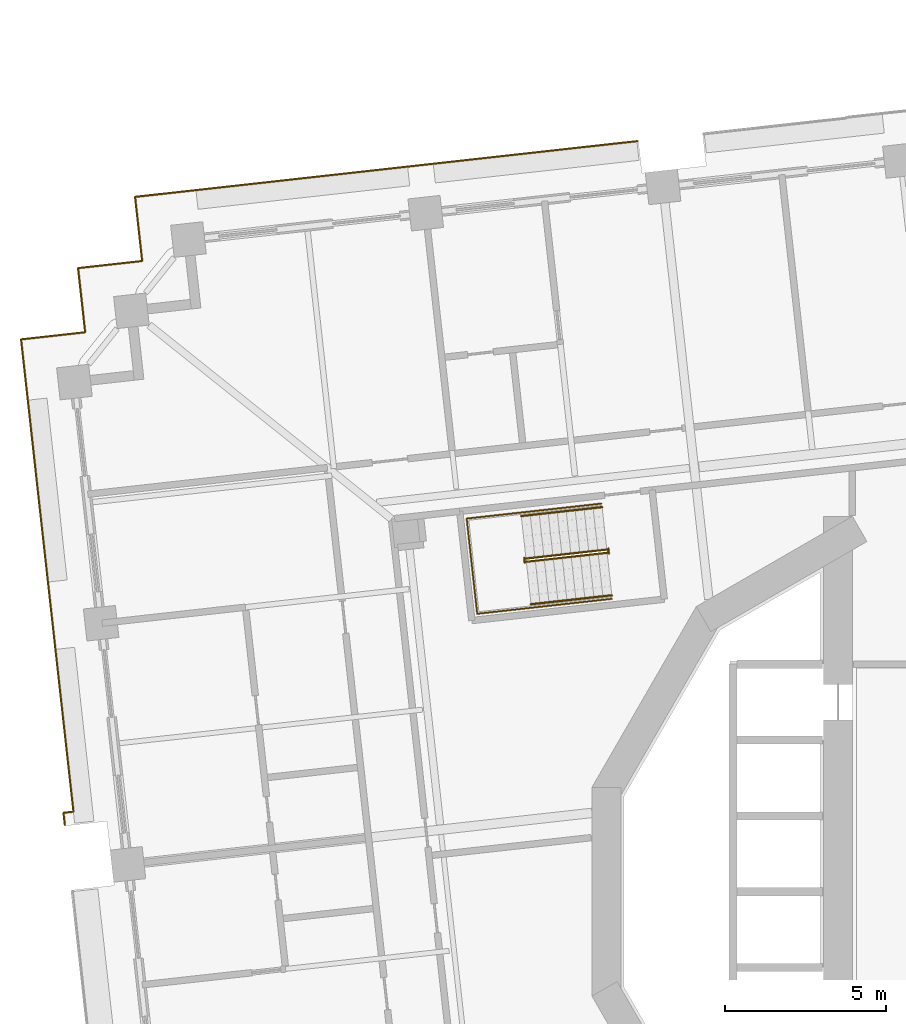
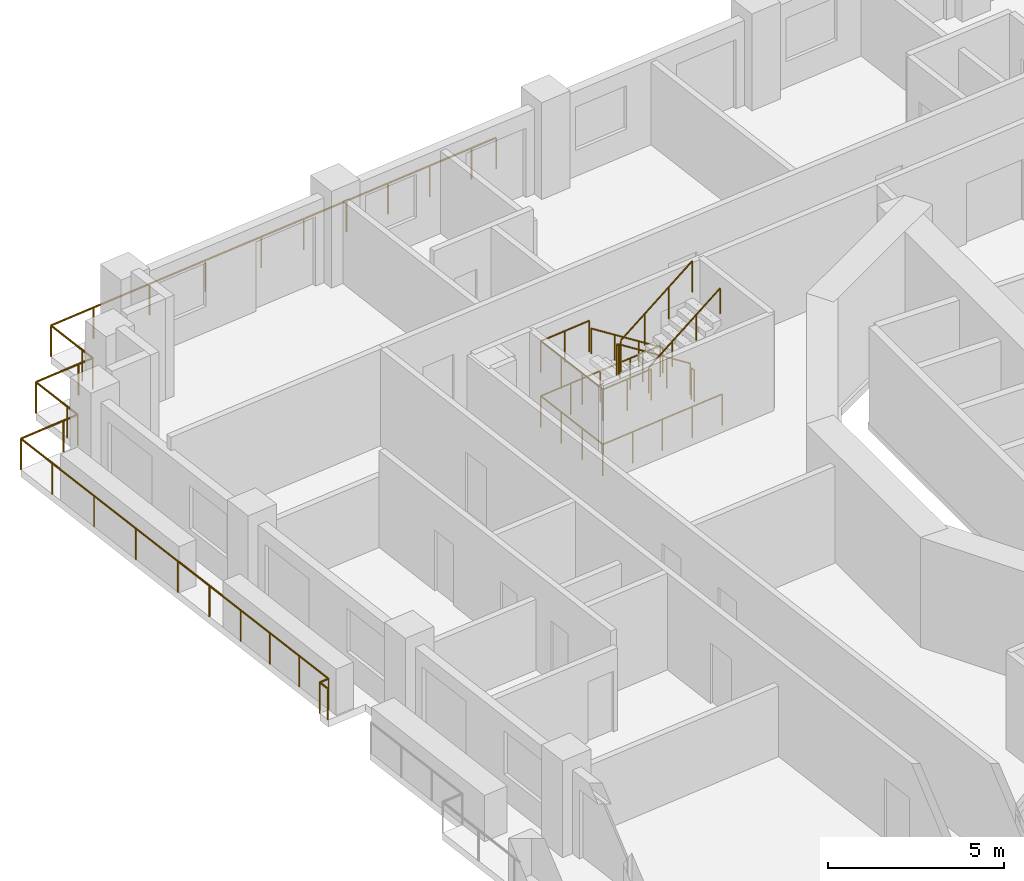
# One storey, part 18 of 21: 9 railings.
"""IFC4 building model written with IfcOpenShell, lengths in metres."""

from ifc_helpers import new_model, si_unit, direction, frame, origin, origin_2d, place, context, subcontext, project, spatial, circle, extrude, material, type_object, element, save


model = new_model("IFC4")

# Units and contexts
model_context = context("Model", 3, precision=1e-05, world=origin(), true_north=direction((0.0, 1.0)))
body_context = subcontext(model_context, "Body", "Model", "MODEL_VIEW")
ifc_project = project(units=[si_unit("LENGTHUNIT", "METRE"), si_unit("AREAUNIT", "SQUARE_METRE"), si_unit("VOLUMEUNIT", "CUBIC_METRE"), si_unit("PLANEANGLEUNIT", "RADIAN"), si_unit("MASSUNIT", "GRAM", prefix="KILO")], contexts=[model_context])

# Site, building, storey
site_placement = place(None, origin())
site = spatial("IfcSite", under=ifc_project, at=site_placement, CompositionType="ELEMENT")
building_placement = place(site_placement, origin())
building = spatial("IfcBuilding", under=site, at=building_placement, Name="Cantera Rosa Tower", CompositionType="ELEMENT")
storey_placement = place(building_placement, frame((0.0, 0.0, 80.5)))
storey = spatial("IfcBuildingStorey", under=building, at=storey_placement, Name="L17", CompositionType="ELEMENT", Elevation=80.5)

# Railings
ifc_material_1 = material(Name="Stainless steel and laminated glass", Category="steel")
railing_type_1 = type_object("IfcRailingType", Name="GUARD 1100", PredefinedType="BALUSTRADE", material=ifc_material_1)
railing_1_placement = place(storey_placement, frame((-26.015380859375, 19.549560546875, 0.0)))
element("IfcRailing", 1, at=railing_1_placement, inside=storey, type_object=railing_type_1, Name="GUARD L17-4", PredefinedType="BALUSTRADE", context=body_context, shape_type="SweptSolid", body=[
    extrude(circle(Radius=0.030029296875, at=origin_2d()), frame((0.0, 0.0, 1.070068359375), z_axis=(-0.110377921269, 0.9938896893, 0.0), x_axis=(-0.9938896893, -0.110377921269, 0.0)), (0.0, 0.0, 1.0), 0.5),
    extrude(circle(Radius=0.030029296875, at=origin_2d()), frame((-0.05517578125, 0.496826171875, 1.070068359375), z_axis=(-0.110181444005, 0.99391148972, 0.0), x_axis=(-0.99391148972, -0.110181444005, 0.0)), (0.0, 0.0, 1.0), 1.5),
    extrude(circle(Radius=0.030029296875, at=origin_2d()), frame((-0.220458984375, 1.98779296875, 1.070068359375), z_axis=(0.993909513469, 0.110199269672, 0.0), x_axis=(-0.110199269672, 0.993909513469, 0.0)), (0.0, 0.0, 1.0), 1.499755859375),
    extrude(circle(Radius=0.030029296875, at=origin_2d()), frame((1.270263671875, 2.153076171875, 1.070068359375), z_axis=(0.993896343916, 0.1103179838, 0.0), x_axis=(-0.1103179838, 0.993896343916, 0.0)), (0.0, 0.0, 1.0), 5.900146484375),
    extrude(circle(Radius=0.030029296875, at=origin_2d()), frame((7.13427734375, 2.803955078125, 1.070068359375), z_axis=(0.993892663362, 0.110351138256, 0.0), x_axis=(-0.110351138256, 0.993892663362, 0.0)), (0.0, 0.0, 1.0), 3.0),
    extrude(circle(Radius=0.030029296875, at=origin_2d()), frame((10.115966796875, 3.135009765625, 1.070068359375), z_axis=(0.993897260817, 0.110309722784, 0.0), x_axis=(-0.110309722784, 0.993897260817, 0.0)), (0.0, 0.0, 1.0), 4.39990234375),
    extrude(circle(Radius=0.030029296875, at=origin_2d()), frame((14.489013671875, 3.620361328125, 1.070068359375), z_axis=(0.993900832769, 0.110277534522, 0.0), x_axis=(-0.110277534522, 0.993900832769, 0.0)), (0.0, 0.0, 1.0), 0.8701171875),
    extrude(circle(Radius=0.02490234375, at=origin_2d()), origin(), (0.0, 0.0, 1.0), 1.0400390625),
    extrude(circle(Radius=0.02490234375, at=origin_2d()), frame((-0.05517578125, 0.496826171875, 0.0)), (0.0, 0.0, 1.0), 1.0400390625),
    extrude(circle(Radius=0.02490234375, at=origin_2d()), frame((-0.220458984375, 1.98779296875, 0.0)), (0.0, 0.0, 1.0), 1.0400390625),
    extrude(circle(Radius=0.02490234375, at=origin_2d()), frame((1.270263671875, 2.153076171875, 0.0)), (0.0, 0.0, 1.0), 1.0400390625),
    extrude(circle(Radius=0.02490234375, at=origin_2d()), frame((3.224853515625, 2.3701171875, 0.0)), (0.0, 0.0, 1.0), 1.0400390625),
    extrude(circle(Radius=0.02490234375, at=origin_2d()), frame((5.1796875, 2.5869140625, 0.0)), (0.0, 0.0, 1.0), 1.0400390625),
    extrude(circle(Radius=0.02490234375, at=origin_2d()), frame((7.13427734375, 2.803955078125, 0.0)), (0.0, 0.0, 1.0), 1.0400390625),
    extrude(circle(Radius=0.02490234375, at=origin_2d()), frame((8.625, 2.969482421875, 0.0)), (0.0, 0.0, 1.0), 1.0400390625),
    extrude(circle(Radius=0.02490234375, at=origin_2d()), frame((10.115966796875, 3.135009765625, 0.0)), (0.0, 0.0, 1.0), 1.0400390625),
    extrude(circle(Radius=0.02490234375, at=origin_2d()), frame((11.57373046875, 3.296875, 0.0)), (0.0, 0.0, 1.0), 1.0400390625),
    extrude(circle(Radius=0.02490234375, at=origin_2d()), frame((13.03125, 3.45849609375, 0.0)), (0.0, 0.0, 1.0), 1.0400390625),
    extrude(circle(Radius=0.02490234375, at=origin_2d()), frame((14.489013671875, 3.620361328125, 0.0)), (0.0, 0.0, 1.0), 1.0400390625),
    extrude(circle(Radius=0.02490234375, at=origin_2d()), frame((15.353759765625, 3.71630859375, 0.0)), (0.0, 0.0, 1.0), 1.0400390625),
])
railing_2_placement = place(storey_placement, frame((-28.412841796875, 2.068359375, 0.0)))
element("IfcRailing", 2, at=railing_2_placement, inside=storey, type_object=railing_type_1, Name="GUARD L17-5", PredefinedType="BALUSTRADE", context=body_context, shape_type="SweptSolid", body=[
    extrude(circle(Radius=0.030029296875, at=origin_2d()), frame((0.0, 0.0, 1.070068359375), z_axis=(-0.110150366438, 0.993914934375, 0.0), x_axis=(-0.993914934375, -0.110150366438, 0.0)), (0.0, 0.0, 1.0), 0.38134765625),
    extrude(circle(Radius=0.030029296875, at=origin_2d()), frame((-0.0419921875, 0.37890625, 1.070068359375), z_axis=(0.993864587477, 0.110603714944, 0.0), x_axis=(-0.110603714944, 0.993864587477, 0.0)), (0.0, 0.0, 1.0), 0.311279296875),
    extrude(circle(Radius=0.030029296875, at=origin_2d()), frame((0.267333984375, 0.413330078125, 1.070068359375), z_axis=(-0.110336020431, 0.993894341767, 0.0), x_axis=(-0.993894341767, -0.110336020431, 0.0)), (0.0, 0.0, 1.0), 4.20849609375),
    extrude(circle(Radius=0.030029296875, at=origin_2d()), frame((-0.197021484375, 4.59619140625, 1.070068359375), z_axis=(-0.110270748271, 0.993901585709, 0.0), x_axis=(-0.993901585709, -0.110270748271, 0.0)), (0.0, 0.0, 1.0), 3.0),
    extrude(circle(Radius=0.030029296875, at=origin_2d()), frame((-0.52783203125, 7.577880859375, 1.070068359375), z_axis=(-0.110306895823, 0.993897574569, 0.0), x_axis=(-0.993897574569, -0.110306895823, 0.0)), (0.0, 0.0, 1.0), 6.02001953125),
    extrude(circle(Radius=0.030029296875, at=origin_2d()), frame((-1.19189453125, 13.561279296875, 1.070068359375), z_axis=(-0.110360064491, 0.993891672249, 0.0), x_axis=(-0.993891672249, -0.110360064491, 0.0)), (0.0, 0.0, 1.0), 1.5),
    extrude(circle(Radius=0.030029296875, at=origin_2d()), frame((-1.357421875, 15.052001953125, 1.070068359375), z_axis=(0.993891672249, 0.110360064491, 0.0), x_axis=(-0.110360064491, 0.993891672249, 0.0)), (0.0, 0.0, 1.0), 1.5),
    extrude(circle(Radius=0.030029296875, at=origin_2d()), frame((0.13330078125, 15.217529296875, 1.070068359375), z_axis=(0.993895635261, 0.110324368158, 0.0), x_axis=(-0.110324368158, 0.993895635261, 0.0)), (0.0, 0.0, 1.0), 0.500244140625),
    extrude(circle(Radius=0.030029296875, at=origin_2d()), frame((0.63037109375, 15.272705078125, 1.070068359375), z_axis=(-0.110324368158, 0.993895635261, 0.0), x_axis=(-0.993895635261, -0.110324368158, 0.0)), (0.0, 0.0, 1.0), 0.500244140625),
    extrude(circle(Radius=0.030029296875, at=origin_2d()), frame((0.5751953125, 15.769775390625, 1.070068359375), z_axis=(-0.110360064491, 0.993891672249, 0.0), x_axis=(-0.993891672249, -0.110360064491, 0.0)), (0.0, 0.0, 1.0), 1.5),
    extrude(circle(Radius=0.030029296875, at=origin_2d()), frame((0.40966796875, 17.260498046875, 1.070068359375), z_axis=(0.993893654236, 0.110342213455, 0.0), x_axis=(-0.110342213455, 0.993893654236, 0.0)), (0.0, 0.0, 1.0), 1.500244140625),
    extrude(circle(Radius=0.030029296875, at=origin_2d()), frame((1.900634765625, 17.426025390625, 1.070068359375), z_axis=(0.9938896893, 0.110377921269, 0.0), x_axis=(-0.110377921269, 0.9938896893, 0.0)), (0.0, 0.0, 1.0), 0.5),
    extrude(circle(Radius=0.02490234375, at=origin_2d()), origin(), (0.0, 0.0, 1.0), 1.0400390625),
    extrude(circle(Radius=0.02490234375, at=origin_2d()), frame((-0.0419921875, 0.37890625, 0.0)), (0.0, 0.0, 1.0), 1.0400390625),
    extrude(circle(Radius=0.02490234375, at=origin_2d()), frame((0.267333984375, 0.413330078125, 0.0)), (0.0, 0.0, 1.0), 1.0400390625),
    extrude(circle(Radius=0.02490234375, at=origin_2d()), frame((0.112548828125, 1.8076171875, 0.0)), (0.0, 0.0, 1.0), 1.0400390625),
    extrude(circle(Radius=0.02490234375, at=origin_2d()), frame((-0.042236328125, 3.201904296875, 0.0)), (0.0, 0.0, 1.0), 1.0400390625),
    extrude(circle(Radius=0.02490234375, at=origin_2d()), frame((-0.197021484375, 4.59619140625, 0.0)), (0.0, 0.0, 1.0), 1.0400390625),
    extrude(circle(Radius=0.02490234375, at=origin_2d()), frame((-0.3623046875, 6.0869140625, 0.0)), (0.0, 0.0, 1.0), 1.0400390625),
    extrude(circle(Radius=0.02490234375, at=origin_2d()), frame((-0.52783203125, 7.577880859375, 0.0)), (0.0, 0.0, 1.0), 1.0400390625),
    extrude(circle(Radius=0.02490234375, at=origin_2d()), frame((-0.749267578125, 9.572265625, 0.0)), (0.0, 0.0, 1.0), 1.0400390625),
    extrude(circle(Radius=0.02490234375, at=origin_2d()), frame((-0.970458984375, 11.56689453125, 0.0)), (0.0, 0.0, 1.0), 1.0400390625),
    extrude(circle(Radius=0.02490234375, at=origin_2d()), frame((-1.19189453125, 13.561279296875, 0.0)), (0.0, 0.0, 1.0), 1.0400390625),
    extrude(circle(Radius=0.02490234375, at=origin_2d()), frame((-1.357421875, 15.052001953125, 0.0)), (0.0, 0.0, 1.0), 1.0400390625),
    extrude(circle(Radius=0.02490234375, at=origin_2d()), frame((0.13330078125, 15.217529296875, 0.0)), (0.0, 0.0, 1.0), 1.0400390625),
    extrude(circle(Radius=0.02490234375, at=origin_2d()), frame((0.63037109375, 15.272705078125, 0.0)), (0.0, 0.0, 1.0), 1.0400390625),
    extrude(circle(Radius=0.02490234375, at=origin_2d()), frame((0.5751953125, 15.769775390625, 0.0)), (0.0, 0.0, 1.0), 1.0400390625),
    extrude(circle(Radius=0.02490234375, at=origin_2d()), frame((0.40966796875, 17.260498046875, 0.0)), (0.0, 0.0, 1.0), 1.0400390625),
    extrude(circle(Radius=0.02490234375, at=origin_2d()), frame((1.900634765625, 17.426025390625, 0.0)), (0.0, 0.0, 1.0), 1.0400390625),
    extrude(circle(Radius=0.02490234375, at=origin_2d()), frame((2.3974609375, 17.481201171875, 0.0)), (0.0, 0.0, 1.0), 1.0400390625),
])
ifc_material_2 = material(Name="Steel S355J2 (EN 10025-2)", Category="steel")
railing_type_2 = type_object("IfcRailingType", Name="STAIR GUARD 1100", PredefinedType="GUARDRAIL", material=ifc_material_2)
railing_3_placement = place(storey_placement, frame((-11.614013671875, 10.60302734375, 0.18994140625)))
element("IfcRailing", 3, at=railing_3_placement, inside=storey, type_object=railing_type_2, Name="L17 ST-12 stair guard 1", PredefinedType="GUARDRAIL", context=body_context, shape_type="SweptSolid", body=[
    extrude(circle(Radius=0.02392578125, at=origin_2d()), frame((0.0, 0.0, 1.076171875), z_axis=(-0.822437355244, -0.09123050105, 0.561492468674), x_axis=(0.110250758185, -0.993903803353, 0.0)), (0.0, 0.0, 1.0), 3.04541015625),
    extrude(circle(Radius=0.02392578125, at=origin_2d()), frame((-2.504638671875, -0.27783203125, 2.7861328125), z_axis=(-0.932897555956, 0.360141847183, 0.0), x_axis=(-0.360141847183, -0.932897555956, 0.0)), (0.0, 0.0, 1.0), 0.05615234375),
    extrude(circle(Radius=0.02392578125, at=origin_2d()), frame((-2.55712890625, -0.257568359375, 2.7861328125), z_axis=(0.110610055588, -0.993863881828, 0.0), x_axis=(0.993863881828, 0.110610055588, 0.0)), (0.0, 0.0, 1.0), 0.150146484375),
    extrude(circle(Radius=0.02099609375, at=origin_2d()), origin(), (0.0, 0.0, 1.0), 1.052001953125),
    extrude(circle(Radius=0.02099609375, at=origin_2d()), frame((-0.8349609375, -0.092529296875, 0.570068359375)), (0.0, 0.0, 1.0), 1.052001953125),
    extrude(circle(Radius=0.02099609375, at=origin_2d()), frame((-1.669677734375, -0.185302734375, 1.139892578125)), (0.0, 0.0, 1.0), 1.052001953125),
    extrude(circle(Radius=0.02099609375, at=origin_2d()), frame((-2.504638671875, -0.27783203125, 1.7099609375)), (0.0, 0.0, 1.0), 1.052001953125),
    extrude(circle(Radius=0.02099609375, at=origin_2d()), frame((-2.55712890625, -0.257568359375, 1.7099609375)), (0.0, 0.0, 1.0), 1.052001953125),
    extrude(circle(Radius=0.02099609375, at=origin_2d()), frame((-2.54052734375, -0.40673828125, 1.7099609375)), (0.0, 0.0, 1.0), 1.052001953125),
])
railing_4_placement = place(storey_placement, frame((-14.107666015625, 10.227783203125, 2.090087890625)))
element("IfcRailing", 4, at=railing_4_placement, inside=storey, type_object=railing_type_2, Name="L17 ST-12 stair guard 2", PredefinedType="GUARDRAIL", context=body_context, shape_type="SweptSolid", body=[
    extrude(circle(Radius=0.02392578125, at=origin_2d()), frame((0.0, 0.0, 1.076171875), z_axis=(0.822437355244, 0.09123050105, 0.561492468674), x_axis=(-0.110250758185, 0.993903803353, 0.0)), (0.0, 0.0, 1.0), 3.04541015625),
    extrude(circle(Radius=0.02099609375, at=origin_2d()), origin(), (0.0, 0.0, 1.0), 1.052001953125),
    extrude(circle(Radius=0.02099609375, at=origin_2d()), frame((0.8349609375, 0.092529296875, 0.570068359375)), (0.0, 0.0, 1.0), 1.052001953125),
    extrude(circle(Radius=0.02099609375, at=origin_2d()), frame((1.669677734375, 0.185302734375, 1.139892578125)), (0.0, 0.0, 1.0), 1.052001953125),
    extrude(circle(Radius=0.02099609375, at=origin_2d()), frame((2.504638671875, 0.27783203125, 1.7099609375)), (0.0, 0.0, 1.0), 1.052001953125),
])
railing_5_placement = place(storey_placement, frame((-11.567138671875, 10.634521484375, 0.0)))
element("IfcRailing", 5, at=railing_5_placement, inside=storey, type_object=railing_type_2, Name="L17 ST-12 stair guard 3", PredefinedType="GUARDRAIL", context=body_context, shape_type="SweptSolid", body=[
    extrude(circle(Radius=0.02392578125, at=origin_2d()), frame((0.0, 0.0, 1.076171875), z_axis=(0.110610055588, -0.993863881828, 0.0), x_axis=(0.993863881828, 0.110610055588, 0.0)), (0.0, 0.0, 1.0), 0.150146484375),
    extrude(circle(Radius=0.02099609375, at=origin_2d()), origin(), (0.0, 0.0, 1.0), 1.052001953125),
    extrude(circle(Radius=0.02099609375, at=origin_2d()), frame((0.0166015625, -0.149169921875, 0.0)), (0.0, 0.0, 1.0), 1.052001953125),
])
railing_6_placement = place(storey_placement, frame((-11.7841796875, 12.029052734375, 0.0)))
element("IfcRailing", 6, at=railing_6_placement, inside=storey, type_object=railing_type_2, Name="L17 ST-12 stair guard 4", PredefinedType="GUARDRAIL", context=body_context, shape_type="SweptSolid", body=[
    extrude(circle(Radius=0.02392578125, at=origin_2d()), frame((0.0, 0.0, 1.076171875), z_axis=(-0.9938957856, -0.110323013767, 0.0), x_axis=(0.110323013767, -0.9938957856, 0.0)), (0.0, 0.0, 1.0), 4.197998046875),
    extrude(circle(Radius=0.02392578125, at=origin_2d()), frame((-4.17236328125, -0.463134765625, 1.076171875), z_axis=(0.11023303584, -0.99390576908, 0.0), x_axis=(0.99390576908, 0.11023303584, 0.0)), (0.0, 0.0, 1.0), 2.969970703125),
    extrude(circle(Radius=0.02392578125, at=origin_2d()), frame((-3.844970703125, -3.4150390625, 1.076171875), z_axis=(0.993896493372, 0.11031663729, 0.0), x_axis=(-0.11031663729, 0.993896493372, 0.0)), (0.0, 0.0, 1.0), 4.1982421875),
    extrude(circle(Radius=0.02099609375, at=origin_2d()), origin(), (0.0, 0.0, 1.0), 1.052001953125),
    extrude(circle(Radius=0.02099609375, at=origin_2d()), frame((-1.04296875, -0.11572265625, 0.0)), (0.0, 0.0, 1.0), 1.052001953125),
    extrude(circle(Radius=0.02099609375, at=origin_2d()), frame((-2.086181640625, -0.2314453125, 0.0)), (0.0, 0.0, 1.0), 1.052001953125),
    extrude(circle(Radius=0.02099609375, at=origin_2d()), frame((-3.12939453125, -0.347412109375, 0.0)), (0.0, 0.0, 1.0), 1.052001953125),
    extrude(circle(Radius=0.02099609375, at=origin_2d()), frame((-4.17236328125, -0.463134765625, 0.0)), (0.0, 0.0, 1.0), 1.052001953125),
    extrude(circle(Radius=0.02099609375, at=origin_2d()), frame((-4.063232421875, -1.447021484375, 0.0)), (0.0, 0.0, 1.0), 1.052001953125),
    extrude(circle(Radius=0.02099609375, at=origin_2d()), frame((-3.9541015625, -2.43115234375, 0.0)), (0.0, 0.0, 1.0), 1.052001953125),
    extrude(circle(Radius=0.02099609375, at=origin_2d()), frame((-3.844970703125, -3.4150390625, 0.0)), (0.0, 0.0, 1.0), 1.052001953125),
    extrude(circle(Radius=0.02099609375, at=origin_2d()), frame((-2.8017578125, -3.29931640625, 0.0)), (0.0, 0.0, 1.0), 1.052001953125),
    extrude(circle(Radius=0.02099609375, at=origin_2d()), frame((-1.7587890625, -3.18359375, 0.0)), (0.0, 0.0, 1.0), 1.052001953125),
    extrude(circle(Radius=0.02099609375, at=origin_2d()), frame((-0.715576171875, -3.067626953125, 0.0)), (0.0, 0.0, 1.0), 1.052001953125),
    extrude(circle(Radius=0.02099609375, at=origin_2d()), frame((0.32763671875, -2.951904296875, 0.0)), (0.0, 0.0, 1.0), 1.052001953125),
])
railing_7_placement = place(storey_placement, frame((-14.26513671875, 11.753662109375, 1.89990234375)))
element("IfcRailing", 7, at=railing_7_placement, inside=storey, type_object=railing_type_2, Name="L17 ST-12 stair guard 5", PredefinedType="GUARDRAIL", context=body_context, shape_type="SweptSolid", body=[
    extrude(circle(Radius=0.02392578125, at=origin_2d()), frame((0.0, 0.0, 1.076171875), z_axis=(-0.99389597521, -0.110321305562, 0.0), x_axis=(0.110321305562, -0.99389597521, 0.0)), (0.0, 0.0, 1.0), 1.701904296875),
    extrude(circle(Radius=0.02392578125, at=origin_2d()), frame((-1.69140625, -0.187744140625, 1.076171875), z_axis=(0.11023303584, -0.99390576908, 0.0), x_axis=(0.99390576908, 0.11023303584, 0.0)), (0.0, 0.0, 1.0), 2.969970703125),
    extrude(circle(Radius=0.02392578125, at=origin_2d()), frame((-1.364013671875, -3.1396484375, 1.076171875), z_axis=(0.993897720867, 0.110305577623, 0.0), x_axis=(-0.110305577623, 0.993897720867, 0.0)), (0.0, 0.0, 1.0), 1.7021484375),
    extrude(circle(Radius=0.02099609375, at=origin_2d()), origin(), (0.0, 0.0, 1.0), 1.052001953125),
    extrude(circle(Radius=0.02099609375, at=origin_2d()), frame((-0.845703125, -0.09375, 0.0)), (0.0, 0.0, 1.0), 1.052001953125),
    extrude(circle(Radius=0.02099609375, at=origin_2d()), frame((-1.69140625, -0.187744140625, 0.0)), (0.0, 0.0, 1.0), 1.052001953125),
    extrude(circle(Radius=0.02099609375, at=origin_2d()), frame((-1.582275390625, -1.171630859375, 0.0)), (0.0, 0.0, 1.0), 1.052001953125),
    extrude(circle(Radius=0.02099609375, at=origin_2d()), frame((-1.47314453125, -2.15576171875, 0.0)), (0.0, 0.0, 1.0), 1.052001953125),
    extrude(circle(Radius=0.02099609375, at=origin_2d()), frame((-1.364013671875, -3.1396484375, 0.0)), (0.0, 0.0, 1.0), 1.052001953125),
    extrude(circle(Radius=0.02099609375, at=origin_2d()), frame((-0.51806640625, -3.0458984375, 0.0)), (0.0, 0.0, 1.0), 1.052001953125),
    extrude(circle(Radius=0.02099609375, at=origin_2d()), frame((0.32763671875, -2.951904296875, 0.0)), (0.0, 0.0, 1.0), 1.052001953125),
])
ifc_material_3 = material(Name="Steel S355J2 (EN 10025-2)", Category="steel")
railing_type_3 = type_object("IfcRailingType", Name="STAIR HANDRAIL 900", PredefinedType="HANDRAIL", material=ifc_material_3)
railing_8_placement = place(storey_placement, frame((-11.76025390625, 11.921142578125, 0.18994140625)))
element("IfcRailing", 8, at=railing_8_placement, inside=storey, type_object=railing_type_3, Name="L17 ST-12 stair handrail 1", PredefinedType="HANDRAIL", context=body_context, shape_type="SweptSolid", body=[
    extrude(circle(Radius=0.02392578125, at=origin_2d()), frame((0.0, 0.0, 0.8759765625), z_axis=(-0.822431337597, -0.091310000343, 0.561488360321), x_axis=(0.110346460196, -0.993893182753, 0.0)), (0.0, 0.0, 1.0), 3.04541015625),
    extrude(circle(Radius=0.02099609375, at=origin_2d()), origin(), (0.0, 0.0, 1.0), 0.851806640625),
    extrude(circle(Radius=0.02099609375, at=origin_2d()), frame((-0.8349609375, -0.0927734375, 0.570068359375)), (0.0, 0.0, 1.0), 0.851806640625),
    extrude(circle(Radius=0.02099609375, at=origin_2d()), frame((-1.669677734375, -0.185302734375, 1.139892578125)), (0.0, 0.0, 1.0), 0.851806640625),
    extrude(circle(Radius=0.02099609375, at=origin_2d()), frame((-2.504638671875, -0.278076171875, 1.7099609375)), (0.0, 0.0, 1.0), 0.851806640625),
])
railing_9_placement = place(storey_placement, frame((-13.96142578125, 8.909912109375, 2.090087890625)))
element("IfcRailing", 9, at=railing_9_placement, inside=storey, type_object=railing_type_3, Name="L17 ST-12 stair handrail 2", PredefinedType="HANDRAIL", context=body_context, shape_type="SweptSolid", body=[
    extrude(circle(Radius=0.02392578125, at=origin_2d()), frame((0.0, 0.0, 0.8759765625), z_axis=(0.822437355244, 0.09123050105, 0.561492468674), x_axis=(-0.110250758185, 0.993903803353, 0.0)), (0.0, 0.0, 1.0), 3.04541015625),
    extrude(circle(Radius=0.02099609375, at=origin_2d()), origin(), (0.0, 0.0, 1.0), 0.851806640625),
    extrude(circle(Radius=0.02099609375, at=origin_2d()), frame((0.8349609375, 0.092529296875, 0.570068359375)), (0.0, 0.0, 1.0), 0.851806640625),
    extrude(circle(Radius=0.02099609375, at=origin_2d()), frame((1.669677734375, 0.185302734375, 1.139892578125)), (0.0, 0.0, 1.0), 0.851806640625),
    extrude(circle(Radius=0.02099609375, at=origin_2d()), frame((2.504638671875, 0.27783203125, 1.7099609375)), (0.0, 0.0, 1.0), 0.851806640625),
])

save(model, "model.ifc")
